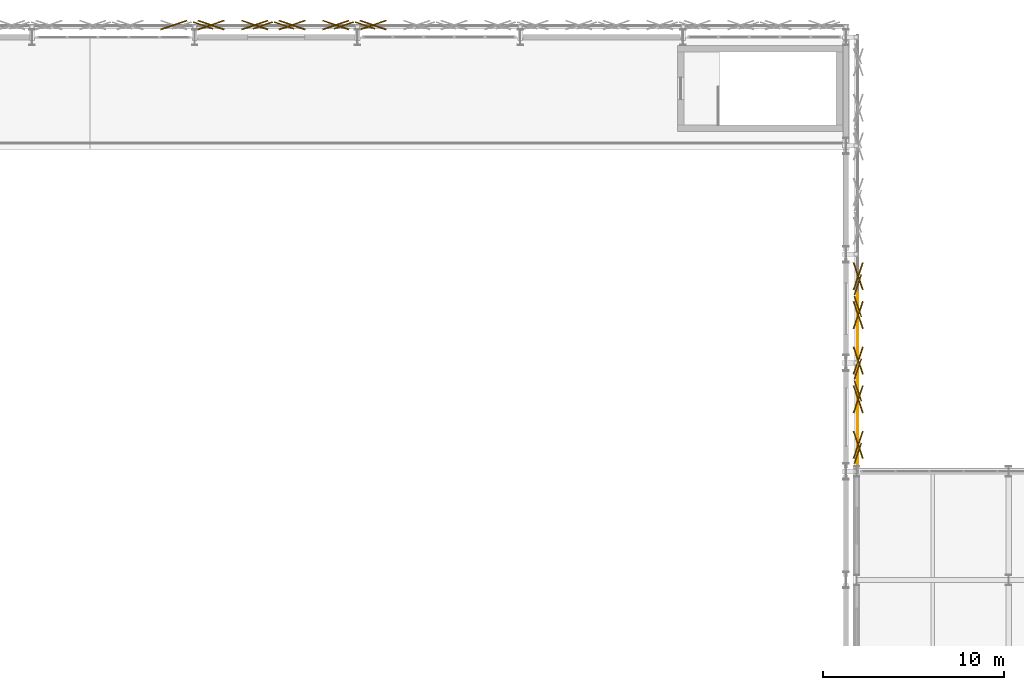
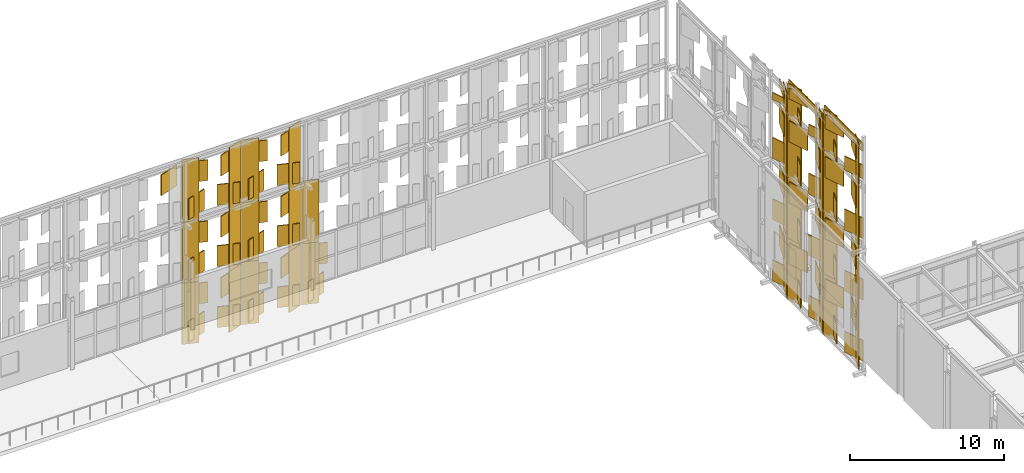
# One storey, part 201 of 210: 103 coverings.
"""IFC4 building model written with IfcOpenShell, lengths in metres."""

from ifc_helpers import new_model, si_unit, direction, frame, origin, origin_2d, place, context, subcontext, project, spatial, rectangle, extrude, material, layer, layer_set, type_object, element, save


model = new_model("IFC4")

# Units and contexts
model_context = context("Model", 3, precision=1e-05, world=origin(), true_north=direction((0.0, 1.0)))
body_context = subcontext(model_context, "Body", "Model", "MODEL_VIEW")
ifc_project = project(units=[si_unit("LENGTHUNIT", "METRE"), si_unit("AREAUNIT", "SQUARE_METRE"), si_unit("VOLUMEUNIT", "CUBIC_METRE"), si_unit("PLANEANGLEUNIT", "RADIAN"), si_unit("MASSUNIT", "GRAM", prefix="KILO")], contexts=[model_context])

# Site, building, storey
site_placement = place(None, origin())
site = spatial("IfcSite", under=ifc_project, at=site_placement, CompositionType="ELEMENT")
building_placement = place(site_placement, origin())
building = spatial("IfcBuilding", under=site, at=building_placement, Name="Kaldris Quays Convention Centre", CompositionType="ELEMENT")
storey_placement = place(building_placement, frame((0.0, 0.0, 6.0)))
storey = spatial("IfcBuildingStorey", under=building, at=storey_placement, Name="L01", CompositionType="ELEMENT", Elevation=6.0)

# Coverings
ifc_material = material(Name="Alabaster white star-pierced anodized aluminium panel", Category="aluminium")
ifc_layer = layer(ifc_material, 0.044921875)
ifc_layer_set = layer_set([ifc_layer], Name="Alabaster white star-pierced anodized aluminium panel")
covering_type = type_object("IfcCoveringType", Name="STAR PIERCED WHITE FOLDED SCREEN CL01", PredefinedType="CLADDING", material=ifc_layer_set)
covering_1_placement = place(storey_placement, frame((108.84130859375, 140.679931640625, 10.716796875), z_axis=(0.0, 0.0, 1.0), x_axis=(0.945518575599, 0.325568154457, 0.0)))
element("IfcCovering", 1, at=covering_1_placement, inside=storey, type_object=covering_type, Name="V1N Carved Star Corner Facet 930", PredefinedType="CLADDING", context=body_context, shape_type="SweptSolid", body=[
    extrude(rectangle(XDim=1.52294921875, YDim=0.06494140625, at=origin_2d()), origin(), (0.0, 0.0, 1.0), 1.64306640625),
])
for number, where, z_axis, x_axis, name in (
    (2, (110.45361328125, 140.659912109375, -1.91015625), (0.0, 0.0, 1.0), (0.945518575599, -0.325568154457, 0.0), "V1N Folded White Screen Stile 931"),
    (3, (113.767822265625, 140.659912109375, -1.91015625), (0.0, 0.0, 1.0), (0.945518575599, 0.325568154457, 0.0), "V1N Folded White Screen Stile 932"),
):
    element("IfcCovering", number, at=place(storey_placement, frame(where, z_axis=z_axis, x_axis=x_axis)), inside=storey, type_object=covering_type, Name=name, PredefinedType="CLADDING", context=body_context, shape_type="SweptSolid", body=[
        extrude(rectangle(XDim=1.136962890625, YDim=0.054931640625, at=origin_2d()), origin(), (0.0, 0.0, 1.0), 4.952880859375),
    ])
for number, where, z_axis, x_axis, name in (
    (4, (110.901611328125, 140.679931640625, -1.559814453125), (0.0, 0.0, 1.0), (0.945518575599, 0.325568154457, 0.0), "V1N Carved Star Corner Facet 933"),
    (5, (110.901611328125, 140.679931640625, 1.0498046875), (0.0, 0.0, 1.0), (0.945518575599, -0.325568154457, 0.0), "V1N Carved Star Corner Facet 934"),
    (6, (113.31982421875, 140.679931640625, -1.559814453125), (0.0, 0.0, 1.0), (0.945518575599, -0.325568154457, 0.0), "V1N Carved Star Corner Facet 935"),
    (7, (113.31982421875, 140.679931640625, 1.0498046875), (0.0, 0.0, 1.0), (0.945518575599, 0.325568154457, 0.0), "V1N Carved Star Corner Facet 936"),
):
    element("IfcCovering", number, at=place(storey_placement, frame(where, z_axis=z_axis, x_axis=x_axis)), inside=storey, type_object=covering_type, Name=name, PredefinedType="CLADDING", context=body_context, shape_type="SweptSolid", body=[
        extrude(rectangle(XDim=1.52294921875, YDim=0.06494140625, at=origin_2d()), origin(), (0.0, 0.0, 1.0), 1.64306640625),
    ])
for number, where, z_axis, x_axis, name in (
    (8, (110.45361328125, 140.659912109375, 2.9228515625), (0.0, 0.0, 1.0), (0.945518575599, -0.325568154457, 0.0), "V1N Folded White Screen Stile 937"),
    (9, (113.767822265625, 140.659912109375, 2.9228515625), (0.0, 0.0, 1.0), (0.945518575599, 0.325568154457, 0.0), "V1N Folded White Screen Stile 938"),
):
    element("IfcCovering", number, at=place(storey_placement, frame(where, z_axis=z_axis, x_axis=x_axis)), inside=storey, type_object=covering_type, Name=name, PredefinedType="CLADDING", context=body_context, shape_type="SweptSolid", body=[
        extrude(rectangle(XDim=1.136962890625, YDim=0.054931640625, at=origin_2d()), origin(), (0.0, 0.0, 1.0), 4.9541015625),
    ])
for number, where, z_axis, x_axis, name in (
    (10, (110.901611328125, 140.679931640625, 3.272705078125), (0.0, 0.0, 1.0), (0.945518575599, 0.325568154457, 0.0), "V1N Carved Star Corner Facet 939"),
    (11, (110.901611328125, 140.679931640625, 5.883056640625), (0.0, 0.0, 1.0), (0.945518575599, -0.325568154457, 0.0), "V1N Carved Star Corner Facet 940"),
    (12, (113.31982421875, 140.679931640625, 3.272705078125), (0.0, 0.0, 1.0), (0.945518575599, -0.325568154457, 0.0), "V1N Carved Star Corner Facet 941"),
    (13, (113.31982421875, 140.679931640625, 5.883056640625), (0.0, 0.0, 1.0), (0.945518575599, 0.325568154457, 0.0), "V1N Carved Star Corner Facet 942"),
):
    element("IfcCovering", number, at=place(storey_placement, frame(where, z_axis=z_axis, x_axis=x_axis)), inside=storey, type_object=covering_type, Name=name, PredefinedType="CLADDING", context=body_context, shape_type="SweptSolid", body=[
        extrude(rectangle(XDim=1.52294921875, YDim=0.06494140625, at=origin_2d()), origin(), (0.0, 0.0, 1.0), 1.64404296875),
    ])
for number, where, z_axis, x_axis, name in (
    (14, (110.45361328125, 140.659912109375, 7.7568359375), (0.0, 0.0, 1.0), (0.945518575599, -0.325568154457, 0.0), "V1N Folded White Screen Stile 943"),
    (15, (113.767822265625, 140.659912109375, 7.7568359375), (0.0, 0.0, 1.0), (0.945518575599, 0.325568154457, 0.0), "V1N Folded White Screen Stile 944"),
):
    element("IfcCovering", number, at=place(storey_placement, frame(where, z_axis=z_axis, x_axis=x_axis)), inside=storey, type_object=covering_type, Name=name, PredefinedType="CLADDING", context=body_context, shape_type="SweptSolid", body=[
        extrude(rectangle(XDim=1.136962890625, YDim=0.054931640625, at=origin_2d()), origin(), (0.0, 0.0, 1.0), 4.952880859375),
    ])
for number, where, z_axis, x_axis, name in (
    (16, (110.901611328125, 140.679931640625, 8.107177734375), (0.0, 0.0, 1.0), (0.945518575599, 0.325568154457, 0.0), "V1N Carved Star Corner Facet 945"),
    (17, (110.901611328125, 140.679931640625, 10.716796875), (0.0, 0.0, 1.0), (0.945518575599, -0.325568154457, 0.0), "V1N Carved Star Corner Facet 946"),
    (18, (113.31982421875, 140.679931640625, 8.107177734375), (0.0, 0.0, 1.0), (0.945518575599, -0.325568154457, 0.0), "V1N Carved Star Corner Facet 947"),
    (19, (113.31982421875, 140.679931640625, 10.716796875), (0.0, 0.0, 1.0), (0.945518575599, 0.325568154457, 0.0), "V1N Carved Star Corner Facet 948"),
):
    element("IfcCovering", number, at=place(storey_placement, frame(where, z_axis=z_axis, x_axis=x_axis)), inside=storey, type_object=covering_type, Name=name, PredefinedType="CLADDING", context=body_context, shape_type="SweptSolid", body=[
        extrude(rectangle(XDim=1.52294921875, YDim=0.06494140625, at=origin_2d()), origin(), (0.0, 0.0, 1.0), 1.64306640625),
    ])
for number, where, z_axis, x_axis, name in (
    (20, (114.93212890625, 140.659912109375, -1.91015625), (0.0, 0.0, 1.0), (0.945518575599, -0.325568154457, 0.0), "V1N Folded White Screen Stile 949"),
    (21, (118.246337890625, 140.659912109375, -1.91015625), (0.0, 0.0, 1.0), (0.945518575599, 0.325568154457, 0.0), "V1N Folded White Screen Stile 950"),
):
    element("IfcCovering", number, at=place(storey_placement, frame(where, z_axis=z_axis, x_axis=x_axis)), inside=storey, type_object=covering_type, Name=name, PredefinedType="CLADDING", context=body_context, shape_type="SweptSolid", body=[
        extrude(rectangle(XDim=1.136962890625, YDim=0.054931640625, at=origin_2d()), origin(), (0.0, 0.0, 1.0), 4.952880859375),
    ])
for number, where, z_axis, x_axis, name in (
    (22, (115.380126953125, 140.679931640625, -1.559814453125), (0.0, 0.0, 1.0), (0.945518575599, 0.325568154457, 0.0), "V1N Carved Star Corner Facet 951"),
    (23, (115.380126953125, 140.679931640625, 1.0498046875), (0.0, 0.0, 1.0), (0.945518575599, -0.325568154457, 0.0), "V1N Carved Star Corner Facet 952"),
    (24, (117.798583984375, 140.679931640625, -1.559814453125), (0.0, 0.0, 1.0), (0.945518575599, -0.325568154457, 0.0), "V1N Carved Star Corner Facet 953"),
    (25, (117.798583984375, 140.679931640625, 1.0498046875), (0.0, 0.0, 1.0), (0.945518575599, 0.325568154457, 0.0), "V1N Carved Star Corner Facet 954"),
):
    element("IfcCovering", number, at=place(storey_placement, frame(where, z_axis=z_axis, x_axis=x_axis)), inside=storey, type_object=covering_type, Name=name, PredefinedType="CLADDING", context=body_context, shape_type="SweptSolid", body=[
        extrude(rectangle(XDim=1.52294921875, YDim=0.06494140625, at=origin_2d()), origin(), (0.0, 0.0, 1.0), 1.64306640625),
    ])
for number, where, z_axis, x_axis, name in (
    (26, (114.93212890625, 140.659912109375, 2.9228515625), (0.0, 0.0, 1.0), (0.945518575599, -0.325568154457, 0.0), "V1N Folded White Screen Stile 955"),
    (27, (118.246337890625, 140.659912109375, 2.9228515625), (0.0, 0.0, 1.0), (0.945518575599, 0.325568154457, 0.0), "V1N Folded White Screen Stile 956"),
):
    element("IfcCovering", number, at=place(storey_placement, frame(where, z_axis=z_axis, x_axis=x_axis)), inside=storey, type_object=covering_type, Name=name, PredefinedType="CLADDING", context=body_context, shape_type="SweptSolid", body=[
        extrude(rectangle(XDim=1.136962890625, YDim=0.054931640625, at=origin_2d()), origin(), (0.0, 0.0, 1.0), 4.9541015625),
    ])
for number, where, z_axis, x_axis, name in (
    (28, (115.380126953125, 140.679931640625, 3.272705078125), (0.0, 0.0, 1.0), (0.945518575599, 0.325568154457, 0.0), "V1N Carved Star Corner Facet 957"),
    (29, (115.380126953125, 140.679931640625, 5.883056640625), (0.0, 0.0, 1.0), (0.945518575599, -0.325568154457, 0.0), "V1N Carved Star Corner Facet 958"),
    (30, (117.798583984375, 140.679931640625, 3.272705078125), (0.0, 0.0, 1.0), (0.945518575599, -0.325568154457, 0.0), "V1N Carved Star Corner Facet 959"),
    (31, (117.798583984375, 140.679931640625, 5.883056640625), (0.0, 0.0, 1.0), (0.945518575599, 0.325568154457, 0.0), "V1N Carved Star Corner Facet 960"),
):
    element("IfcCovering", number, at=place(storey_placement, frame(where, z_axis=z_axis, x_axis=x_axis)), inside=storey, type_object=covering_type, Name=name, PredefinedType="CLADDING", context=body_context, shape_type="SweptSolid", body=[
        extrude(rectangle(XDim=1.52294921875, YDim=0.06494140625, at=origin_2d()), origin(), (0.0, 0.0, 1.0), 1.64404296875),
    ])
for number, where, z_axis, x_axis, name in (
    (32, (114.93212890625, 140.659912109375, 7.7568359375), (0.0, 0.0, 1.0), (0.945518575599, -0.325568154457, 0.0), "V1N Folded White Screen Stile 961"),
    (33, (118.246337890625, 140.659912109375, 7.7568359375), (0.0, 0.0, 1.0), (0.945518575599, 0.325568154457, 0.0), "V1N Folded White Screen Stile 962"),
):
    element("IfcCovering", number, at=place(storey_placement, frame(where, z_axis=z_axis, x_axis=x_axis)), inside=storey, type_object=covering_type, Name=name, PredefinedType="CLADDING", context=body_context, shape_type="SweptSolid", body=[
        extrude(rectangle(XDim=1.136962890625, YDim=0.054931640625, at=origin_2d()), origin(), (0.0, 0.0, 1.0), 4.952880859375),
    ])
for number, where, z_axis, x_axis, name in (
    (34, (115.380126953125, 140.679931640625, 8.107177734375), (0.0, 0.0, 1.0), (0.945518575599, 0.325568154457, 0.0), "V1N Carved Star Corner Facet 963"),
    (35, (115.380126953125, 140.679931640625, 10.716796875), (0.0, 0.0, 1.0), (0.945518575599, -0.325568154457, 0.0), "V1N Carved Star Corner Facet 964"),
    (36, (117.798583984375, 140.679931640625, 8.107177734375), (0.0, 0.0, 1.0), (0.945518575599, -0.325568154457, 0.0), "V1N Carved Star Corner Facet 965"),
    (37, (117.798583984375, 140.679931640625, 10.716796875), (0.0, 0.0, 1.0), (0.945518575599, 0.325568154457, 0.0), "V1N Carved Star Corner Facet 966"),
):
    element("IfcCovering", number, at=place(storey_placement, frame(where, z_axis=z_axis, x_axis=x_axis)), inside=storey, type_object=covering_type, Name=name, PredefinedType="CLADDING", context=body_context, shape_type="SweptSolid", body=[
        extrude(rectangle(XDim=1.52294921875, YDim=0.06494140625, at=origin_2d()), origin(), (0.0, 0.0, 1.0), 1.64306640625),
    ])
covering_2_placement = place(storey_placement, frame((119.410888671875, 140.659912109375, -1.91015625), z_axis=(0.0, 0.0, 1.0), x_axis=(0.945518575599, -0.325568154457, 0.0)))
element("IfcCovering", 38, at=covering_2_placement, inside=storey, type_object=covering_type, Name="V1N Folded White Screen Stile 967", PredefinedType="CLADDING", context=body_context, shape_type="SweptSolid", body=[
    extrude(rectangle(XDim=1.136962890625, YDim=0.054931640625, at=origin_2d()), origin(), (0.0, 0.0, 1.0), 4.952880859375),
])
for number, where, z_axis, x_axis, name in (
    (39, (119.858642578125, 140.679931640625, -1.559814453125), (0.0, 0.0, 1.0), (0.945518575599, 0.325568154457, 0.0), "V1N Carved Star Corner Facet 969"),
    (40, (119.858642578125, 140.679931640625, 1.0498046875), (0.0, 0.0, 1.0), (0.945518575599, -0.325568154457, 0.0), "V1N Carved Star Corner Facet 970"),
):
    element("IfcCovering", number, at=place(storey_placement, frame(where, z_axis=z_axis, x_axis=x_axis)), inside=storey, type_object=covering_type, Name=name, PredefinedType="CLADDING", context=body_context, shape_type="SweptSolid", body=[
        extrude(rectangle(XDim=1.52294921875, YDim=0.06494140625, at=origin_2d()), origin(), (0.0, 0.0, 1.0), 1.64306640625),
    ])
covering_3_placement = place(storey_placement, frame((119.410888671875, 140.659912109375, 2.9228515625), z_axis=(0.0, 0.0, 1.0), x_axis=(0.945518575599, -0.325568154457, 0.0)))
element("IfcCovering", 41, at=covering_3_placement, inside=storey, type_object=covering_type, Name="V1N Folded White Screen Stile 973", PredefinedType="CLADDING", context=body_context, shape_type="SweptSolid", body=[
    extrude(rectangle(XDim=1.136962890625, YDim=0.054931640625, at=origin_2d()), origin(), (0.0, 0.0, 1.0), 4.9541015625),
])
covering_4_placement = place(storey_placement, frame((146.64990234375, 118.72998046875, 15.39404296875), z_axis=(0.0, 0.0, 1.0), x_axis=(0.0, 1.0, 0.0)))
element("IfcCovering", 42, at=covering_4_placement, inside=storey, type_object=covering_type, Name="V1E Gable White Screen Cap Band 1756", PredefinedType="CLADDING", context=body_context, shape_type="SweptSolid", body=[
    extrude(rectangle(XDim=4.9599609375, YDim=0.054931640625, at=origin_2d()), origin(), (0.0, 0.0, 1.0), 0.679931640625),
])
for number, where, z_axis, x_axis, name in (
    (43, (146.659912109375, 117.005859375, -1.91015625), (0.0, 0.0, 1.0), (0.325568154457, 0.945518575599, 0.0), "V1E Folded White Screen Stile 1757"),
    (44, (146.659912109375, 120.4541015625, -1.91015625), (0.0, 0.0, 1.0), (-0.325568154457, 0.945518575599, 0.0), "V1E Folded White Screen Stile 1758"),
):
    element("IfcCovering", number, at=place(storey_placement, frame(where, z_axis=z_axis, x_axis=x_axis)), inside=storey, type_object=covering_type, Name=name, PredefinedType="CLADDING", context=body_context, shape_type="SweptSolid", body=[
        extrude(rectangle(XDim=1.18310546875, YDim=0.054931640625, at=origin_2d()), origin(), (0.0, 0.0, 1.0), 4.952880859375),
    ])
for number, where, z_axis, x_axis, name in (
    (45, (146.679931640625, 117.4716796875, -1.559814453125), (0.0, 0.0, 1.0), (-0.325568154457, 0.945518575599, 0.0), "V1E Carved Star Corner Facet 1759"),
    (46, (146.679931640625, 117.4716796875, 1.0498046875), (0.0, 0.0, 1.0), (0.325568154457, 0.945518575599, 0.0), "V1E Carved Star Corner Facet 1760"),
    (47, (146.679931640625, 119.98828125, -1.559814453125), (0.0, 0.0, 1.0), (0.325568154457, 0.945518575599, 0.0), "V1E Carved Star Corner Facet 1761"),
    (48, (146.679931640625, 119.98828125, 1.0498046875), (0.0, 0.0, 1.0), (-0.325568154457, 0.945518575599, 0.0), "V1E Carved Star Corner Facet 1762"),
):
    element("IfcCovering", number, at=place(storey_placement, frame(where, z_axis=z_axis, x_axis=x_axis)), inside=storey, type_object=covering_type, Name=name, PredefinedType="CLADDING", context=body_context, shape_type="SweptSolid", body=[
        extrude(rectangle(XDim=1.583984375, YDim=0.06494140625, at=origin_2d()), origin(), (0.0, 0.0, 1.0), 1.64306640625),
    ])
for number, where, z_axis, x_axis, name in (
    (49, (146.659912109375, 117.005859375, 2.9228515625), (0.0, 0.0, 1.0), (0.325568154457, 0.945518575599, 0.0), "V1E Folded White Screen Stile 1763"),
    (50, (146.659912109375, 120.4541015625, 2.9228515625), (0.0, 0.0, 1.0), (-0.325568154457, 0.945518575599, 0.0), "V1E Folded White Screen Stile 1764"),
):
    element("IfcCovering", number, at=place(storey_placement, frame(where, z_axis=z_axis, x_axis=x_axis)), inside=storey, type_object=covering_type, Name=name, PredefinedType="CLADDING", context=body_context, shape_type="SweptSolid", body=[
        extrude(rectangle(XDim=1.18310546875, YDim=0.054931640625, at=origin_2d()), origin(), (0.0, 0.0, 1.0), 4.9541015625),
    ])
for number, where, z_axis, x_axis, name in (
    (51, (146.679931640625, 117.4716796875, 3.272705078125), (0.0, 0.0, 1.0), (-0.325568154457, 0.945518575599, 0.0), "V1E Carved Star Corner Facet 1765"),
    (52, (146.679931640625, 117.4716796875, 5.883056640625), (0.0, 0.0, 1.0), (0.325568154457, 0.945518575599, 0.0), "V1E Carved Star Corner Facet 1766"),
    (53, (146.679931640625, 119.98828125, 3.272705078125), (0.0, 0.0, 1.0), (0.325568154457, 0.945518575599, 0.0), "V1E Carved Star Corner Facet 1767"),
    (54, (146.679931640625, 119.98828125, 5.883056640625), (0.0, 0.0, 1.0), (-0.325568154457, 0.945518575599, 0.0), "V1E Carved Star Corner Facet 1768"),
):
    element("IfcCovering", number, at=place(storey_placement, frame(where, z_axis=z_axis, x_axis=x_axis)), inside=storey, type_object=covering_type, Name=name, PredefinedType="CLADDING", context=body_context, shape_type="SweptSolid", body=[
        extrude(rectangle(XDim=1.583984375, YDim=0.06494140625, at=origin_2d()), origin(), (0.0, 0.0, 1.0), 1.64404296875),
    ])
for number, where, z_axis, x_axis, name in (
    (55, (146.659912109375, 117.005859375, 7.7568359375), (0.0, 0.0, 1.0), (0.325568154457, 0.945518575599, 0.0), "V1E Folded White Screen Stile 1769"),
    (56, (146.659912109375, 120.4541015625, 7.7568359375), (0.0, 0.0, 1.0), (-0.325568154457, 0.945518575599, 0.0), "V1E Folded White Screen Stile 1770"),
):
    element("IfcCovering", number, at=place(storey_placement, frame(where, z_axis=z_axis, x_axis=x_axis)), inside=storey, type_object=covering_type, Name=name, PredefinedType="CLADDING", context=body_context, shape_type="SweptSolid", body=[
        extrude(rectangle(XDim=1.18310546875, YDim=0.054931640625, at=origin_2d()), origin(), (0.0, 0.0, 1.0), 4.952880859375),
    ])
for number, where, z_axis, x_axis, name in (
    (57, (146.679931640625, 117.4716796875, 8.107177734375), (0.0, 0.0, 1.0), (-0.325568154457, 0.945518575599, 0.0), "V1E Carved Star Corner Facet 1771"),
    (58, (146.679931640625, 117.4716796875, 10.716796875), (0.0, 0.0, 1.0), (0.325568154457, 0.945518575599, 0.0), "V1E Carved Star Corner Facet 1772"),
    (59, (146.679931640625, 119.98828125, 8.107177734375), (0.0, 0.0, 1.0), (0.325568154457, 0.945518575599, 0.0), "V1E Carved Star Corner Facet 1773"),
    (60, (146.679931640625, 119.98828125, 10.716796875), (0.0, 0.0, 1.0), (-0.325568154457, 0.945518575599, 0.0), "V1E Carved Star Corner Facet 1774"),
):
    element("IfcCovering", number, at=place(storey_placement, frame(where, z_axis=z_axis, x_axis=x_axis)), inside=storey, type_object=covering_type, Name=name, PredefinedType="CLADDING", context=body_context, shape_type="SweptSolid", body=[
        extrude(rectangle(XDim=1.583984375, YDim=0.06494140625, at=origin_2d()), origin(), (0.0, 0.0, 1.0), 1.64306640625),
    ])
for number, where, z_axis, x_axis, name in (
    (61, (146.659912109375, 117.005859375, 12.590087890625), (0.0, 0.0, 1.0), (0.325568154457, 0.945518575599, 0.0), "V1E Folded White Screen Stile 1775"),
    (62, (146.659912109375, 120.4541015625, 12.590087890625), (0.0, 0.0, 1.0), (-0.325568154457, 0.945518575599, 0.0), "V1E Folded White Screen Stile 1776"),
):
    element("IfcCovering", number, at=place(storey_placement, frame(where, z_axis=z_axis, x_axis=x_axis)), inside=storey, type_object=covering_type, Name=name, PredefinedType="CLADDING", context=body_context, shape_type="SweptSolid", body=[
        extrude(rectangle(XDim=1.18310546875, YDim=0.054931640625, at=origin_2d()), origin(), (0.0, 0.0, 1.0), 3.35400390625),
    ])
for number, where, z_axis, x_axis, name in (
    (63, (146.679931640625, 117.4716796875, 12.84375), (0.0, 0.0, 1.0), (-0.325568154457, 0.945518575599, 0.0), "V1E Carved Star Corner Facet 1777"),
    (64, (146.679931640625, 117.4716796875, 14.590087890625), (0.0, 0.0, 1.0), (0.325568154457, 0.945518575599, 0.0), "V1E Carved Star Corner Facet 1778"),
    (65, (146.679931640625, 119.98828125, 12.84375), (0.0, 0.0, 1.0), (0.325568154457, 0.945518575599, 0.0), "V1E Carved Star Corner Facet 1779"),
    (66, (146.679931640625, 119.98828125, 14.590087890625), (0.0, 0.0, 1.0), (-0.325568154457, 0.945518575599, 0.0), "V1E Carved Star Corner Facet 1780"),
):
    element("IfcCovering", number, at=place(storey_placement, frame(where, z_axis=z_axis, x_axis=x_axis)), inside=storey, type_object=covering_type, Name=name, PredefinedType="CLADDING", context=body_context, shape_type="SweptSolid", body=[
        extrude(rectangle(XDim=1.583984375, YDim=0.06494140625, at=origin_2d()), origin(), (0.0, 0.0, 1.0), 1.10009765625),
    ])
covering_5_placement = place(storey_placement, frame((146.64990234375, 123.389892578125, 14.6181640625), z_axis=(0.0, 0.0, 1.0), x_axis=(0.0, 1.0, 0.0)))
element("IfcCovering", 67, at=covering_5_placement, inside=storey, type_object=covering_type, Name="V1E Gable White Screen Cap Band 1781", PredefinedType="CLADDING", context=body_context, shape_type="SweptSolid", body=[
    extrude(rectangle(XDim=4.9599609375, YDim=0.054931640625, at=origin_2d()), origin(), (0.0, 0.0, 1.0), 0.679931640625),
])
for number, where, z_axis, x_axis, name in (
    (68, (146.659912109375, 121.665771484375, -1.91015625), (0.0, 0.0, 1.0), (0.325568154457, 0.945518575599, 0.0), "V1E Folded White Screen Stile 1782"),
    (69, (146.659912109375, 125.1142578125, -1.91015625), (0.0, 0.0, 1.0), (-0.325568154457, 0.945518575599, 0.0), "V1E Folded White Screen Stile 1783"),
):
    element("IfcCovering", number, at=place(storey_placement, frame(where, z_axis=z_axis, x_axis=x_axis)), inside=storey, type_object=covering_type, Name=name, PredefinedType="CLADDING", context=body_context, shape_type="SweptSolid", body=[
        extrude(rectangle(XDim=1.18310546875, YDim=0.054931640625, at=origin_2d()), origin(), (0.0, 0.0, 1.0), 4.952880859375),
    ])
for number, where, z_axis, x_axis, name in (
    (70, (146.679931640625, 122.1318359375, -1.559814453125), (0.0, 0.0, 1.0), (-0.325568154457, 0.945518575599, 0.0), "V1E Carved Star Corner Facet 1784"),
    (71, (146.679931640625, 122.1318359375, 1.0498046875), (0.0, 0.0, 1.0), (0.325568154457, 0.945518575599, 0.0), "V1E Carved Star Corner Facet 1785"),
    (72, (146.679931640625, 124.648193359375, -1.559814453125), (0.0, 0.0, 1.0), (0.325568154457, 0.945518575599, 0.0), "V1E Carved Star Corner Facet 1786"),
    (73, (146.679931640625, 124.648193359375, 1.0498046875), (0.0, 0.0, 1.0), (-0.325568154457, 0.945518575599, 0.0), "V1E Carved Star Corner Facet 1787"),
):
    element("IfcCovering", number, at=place(storey_placement, frame(where, z_axis=z_axis, x_axis=x_axis)), inside=storey, type_object=covering_type, Name=name, PredefinedType="CLADDING", context=body_context, shape_type="SweptSolid", body=[
        extrude(rectangle(XDim=1.583984375, YDim=0.06494140625, at=origin_2d()), origin(), (0.0, 0.0, 1.0), 1.64306640625),
    ])
for number, where, z_axis, x_axis, name in (
    (74, (146.659912109375, 121.665771484375, 2.9228515625), (0.0, 0.0, 1.0), (0.325568154457, 0.945518575599, 0.0), "V1E Folded White Screen Stile 1788"),
    (75, (146.659912109375, 125.1142578125, 2.9228515625), (0.0, 0.0, 1.0), (-0.325568154457, 0.945518575599, 0.0), "V1E Folded White Screen Stile 1789"),
):
    element("IfcCovering", number, at=place(storey_placement, frame(where, z_axis=z_axis, x_axis=x_axis)), inside=storey, type_object=covering_type, Name=name, PredefinedType="CLADDING", context=body_context, shape_type="SweptSolid", body=[
        extrude(rectangle(XDim=1.18310546875, YDim=0.054931640625, at=origin_2d()), origin(), (0.0, 0.0, 1.0), 4.9541015625),
    ])
for number, where, z_axis, x_axis, name in (
    (76, (146.679931640625, 122.1318359375, 3.272705078125), (0.0, 0.0, 1.0), (-0.325568154457, 0.945518575599, 0.0), "V1E Carved Star Corner Facet 1790"),
    (77, (146.679931640625, 122.1318359375, 5.883056640625), (0.0, 0.0, 1.0), (0.325568154457, 0.945518575599, 0.0), "V1E Carved Star Corner Facet 1791"),
    (78, (146.679931640625, 124.648193359375, 3.272705078125), (0.0, 0.0, 1.0), (0.325568154457, 0.945518575599, 0.0), "V1E Carved Star Corner Facet 1792"),
    (79, (146.679931640625, 124.648193359375, 5.883056640625), (0.0, 0.0, 1.0), (-0.325568154457, 0.945518575599, 0.0), "V1E Carved Star Corner Facet 1793"),
):
    element("IfcCovering", number, at=place(storey_placement, frame(where, z_axis=z_axis, x_axis=x_axis)), inside=storey, type_object=covering_type, Name=name, PredefinedType="CLADDING", context=body_context, shape_type="SweptSolid", body=[
        extrude(rectangle(XDim=1.583984375, YDim=0.06494140625, at=origin_2d()), origin(), (0.0, 0.0, 1.0), 1.64404296875),
    ])
for number, where, z_axis, x_axis, name in (
    (80, (146.659912109375, 121.665771484375, 7.7568359375), (0.0, 0.0, 1.0), (0.325568154457, 0.945518575599, 0.0), "V1E Folded White Screen Stile 1794"),
    (81, (146.659912109375, 125.1142578125, 7.7568359375), (0.0, 0.0, 1.0), (-0.325568154457, 0.945518575599, 0.0), "V1E Folded White Screen Stile 1795"),
):
    element("IfcCovering", number, at=place(storey_placement, frame(where, z_axis=z_axis, x_axis=x_axis)), inside=storey, type_object=covering_type, Name=name, PredefinedType="CLADDING", context=body_context, shape_type="SweptSolid", body=[
        extrude(rectangle(XDim=1.18310546875, YDim=0.054931640625, at=origin_2d()), origin(), (0.0, 0.0, 1.0), 4.952880859375),
    ])
for number, where, z_axis, x_axis, name in (
    (82, (146.679931640625, 122.1318359375, 8.107177734375), (0.0, 0.0, 1.0), (-0.325568154457, 0.945518575599, 0.0), "V1E Carved Star Corner Facet 1796"),
    (83, (146.679931640625, 122.1318359375, 10.716796875), (0.0, 0.0, 1.0), (0.325568154457, 0.945518575599, 0.0), "V1E Carved Star Corner Facet 1797"),
    (84, (146.679931640625, 124.648193359375, 8.107177734375), (0.0, 0.0, 1.0), (0.325568154457, 0.945518575599, 0.0), "V1E Carved Star Corner Facet 1798"),
    (85, (146.679931640625, 124.648193359375, 10.716796875), (0.0, 0.0, 1.0), (-0.325568154457, 0.945518575599, 0.0), "V1E Carved Star Corner Facet 1799"),
):
    element("IfcCovering", number, at=place(storey_placement, frame(where, z_axis=z_axis, x_axis=x_axis)), inside=storey, type_object=covering_type, Name=name, PredefinedType="CLADDING", context=body_context, shape_type="SweptSolid", body=[
        extrude(rectangle(XDim=1.583984375, YDim=0.06494140625, at=origin_2d()), origin(), (0.0, 0.0, 1.0), 1.64306640625),
    ])
for number, where, z_axis, x_axis, name in (
    (86, (146.659912109375, 121.665771484375, 12.58984375), (0.0, 0.0, 1.0), (0.325568154457, 0.945518575599, 0.0), "V1E Folded White Screen Stile 1800"),
    (87, (146.659912109375, 125.1142578125, 12.58984375), (0.0, 0.0, 1.0), (-0.325568154457, 0.945518575599, 0.0), "V1E Folded White Screen Stile 1801"),
):
    element("IfcCovering", number, at=place(storey_placement, frame(where, z_axis=z_axis, x_axis=x_axis)), inside=storey, type_object=covering_type, Name=name, PredefinedType="CLADDING", context=body_context, shape_type="SweptSolid", body=[
        extrude(rectangle(XDim=1.18310546875, YDim=0.054931640625, at=origin_2d()), origin(), (0.0, 0.0, 1.0), 2.577880859375),
    ])
for number, where, z_axis, x_axis, name in (
    (88, (146.679931640625, 122.1318359375, 12.79736328125), (0.0, 0.0, 1.0), (-0.325568154457, 0.945518575599, 0.0), "V1E Carved Star Corner Facet 1802"),
    (89, (146.679931640625, 122.1318359375, 14.124755859375), (0.0, 0.0, 1.0), (0.325568154457, 0.945518575599, 0.0), "V1E Carved Star Corner Facet 1803"),
    (90, (146.679931640625, 124.648193359375, 12.79736328125), (0.0, 0.0, 1.0), (0.325568154457, 0.945518575599, 0.0), "V1E Carved Star Corner Facet 1804"),
    (91, (146.679931640625, 124.648193359375, 14.124755859375), (0.0, 0.0, 1.0), (-0.325568154457, 0.945518575599, 0.0), "V1E Carved Star Corner Facet 1805"),
):
    element("IfcCovering", number, at=place(storey_placement, frame(where, z_axis=z_axis, x_axis=x_axis)), inside=storey, type_object=covering_type, Name=name, PredefinedType="CLADDING", context=body_context, shape_type="SweptSolid", body=[
        extrude(rectangle(XDim=1.583984375, YDim=0.06494140625, at=origin_2d()), origin(), (0.0, 0.0, 1.0), 0.8359375),
    ])
covering_6_placement = place(storey_placement, frame((146.659912109375, 126.32568359375, -1.91015625), z_axis=(0.0, 0.0, 1.0), x_axis=(0.325568154457, 0.945518575599, 0.0)))
element("IfcCovering", 92, at=covering_6_placement, inside=storey, type_object=covering_type, Name="V1E Folded White Screen Stile 1807", PredefinedType="CLADDING", context=body_context, shape_type="SweptSolid", body=[
    extrude(rectangle(XDim=1.18310546875, YDim=0.054931640625, at=origin_2d()), origin(), (0.0, 0.0, 1.0), 4.952880859375),
])
for number, where, z_axis, x_axis, name in (
    (93, (146.679931640625, 126.791748046875, -1.559814453125), (0.0, 0.0, 1.0), (-0.325568154457, 0.945518575599, 0.0), "V1E Carved Star Corner Facet 1809"),
    (94, (146.679931640625, 126.791748046875, 1.0498046875), (0.0, 0.0, 1.0), (0.325568154457, 0.945518575599, 0.0), "V1E Carved Star Corner Facet 1810"),
):
    element("IfcCovering", number, at=place(storey_placement, frame(where, z_axis=z_axis, x_axis=x_axis)), inside=storey, type_object=covering_type, Name=name, PredefinedType="CLADDING", context=body_context, shape_type="SweptSolid", body=[
        extrude(rectangle(XDim=1.583984375, YDim=0.06494140625, at=origin_2d()), origin(), (0.0, 0.0, 1.0), 1.64306640625),
    ])
covering_7_placement = place(storey_placement, frame((146.659912109375, 126.32568359375, 2.9228515625), z_axis=(0.0, 0.0, 1.0), x_axis=(0.325568154457, 0.945518575599, 0.0)))
element("IfcCovering", 95, at=covering_7_placement, inside=storey, type_object=covering_type, Name="V1E Folded White Screen Stile 1813", PredefinedType="CLADDING", context=body_context, shape_type="SweptSolid", body=[
    extrude(rectangle(XDim=1.18310546875, YDim=0.054931640625, at=origin_2d()), origin(), (0.0, 0.0, 1.0), 4.9541015625),
])
for number, where, z_axis, x_axis, name in (
    (96, (146.679931640625, 126.791748046875, 3.272705078125), (0.0, 0.0, 1.0), (-0.325568154457, 0.945518575599, 0.0), "V1E Carved Star Corner Facet 1815"),
    (97, (146.679931640625, 126.791748046875, 5.883056640625), (0.0, 0.0, 1.0), (0.325568154457, 0.945518575599, 0.0), "V1E Carved Star Corner Facet 1816"),
):
    element("IfcCovering", number, at=place(storey_placement, frame(where, z_axis=z_axis, x_axis=x_axis)), inside=storey, type_object=covering_type, Name=name, PredefinedType="CLADDING", context=body_context, shape_type="SweptSolid", body=[
        extrude(rectangle(XDim=1.583984375, YDim=0.06494140625, at=origin_2d()), origin(), (0.0, 0.0, 1.0), 1.64404296875),
    ])
covering_8_placement = place(storey_placement, frame((146.659912109375, 126.32568359375, 7.7568359375), z_axis=(0.0, 0.0, 1.0), x_axis=(0.325568154457, 0.945518575599, 0.0)))
element("IfcCovering", 98, at=covering_8_placement, inside=storey, type_object=covering_type, Name="V1E Folded White Screen Stile 1819", PredefinedType="CLADDING", context=body_context, shape_type="SweptSolid", body=[
    extrude(rectangle(XDim=1.18310546875, YDim=0.054931640625, at=origin_2d()), origin(), (0.0, 0.0, 1.0), 4.952880859375),
])
for number, where, z_axis, x_axis, name in (
    (99, (146.679931640625, 126.791748046875, 8.107177734375), (0.0, 0.0, 1.0), (-0.325568154457, 0.945518575599, 0.0), "V1E Carved Star Corner Facet 1821"),
    (100, (146.679931640625, 126.791748046875, 10.716796875), (0.0, 0.0, 1.0), (0.325568154457, 0.945518575599, 0.0), "V1E Carved Star Corner Facet 1822"),
):
    element("IfcCovering", number, at=place(storey_placement, frame(where, z_axis=z_axis, x_axis=x_axis)), inside=storey, type_object=covering_type, Name=name, PredefinedType="CLADDING", context=body_context, shape_type="SweptSolid", body=[
        extrude(rectangle(XDim=1.583984375, YDim=0.06494140625, at=origin_2d()), origin(), (0.0, 0.0, 1.0), 1.64306640625),
    ])
covering_9_placement = place(storey_placement, frame((146.659912109375, 126.32568359375, 12.58984375), z_axis=(0.0, 0.0, 1.0), x_axis=(0.325568154457, 0.945518575599, 0.0)))
element("IfcCovering", 101, at=covering_9_placement, inside=storey, type_object=covering_type, Name="V1E Folded White Screen Stile 1825", PredefinedType="CLADDING", context=body_context, shape_type="SweptSolid", body=[
    extrude(rectangle(XDim=1.18310546875, YDim=0.054931640625, at=origin_2d()), origin(), (0.0, 0.0, 1.0), 1.801025390625),
])
for number, where, z_axis, x_axis, name in (
    (102, (146.679931640625, 126.791748046875, 12.75048828125), (0.0, 0.0, 1.0), (-0.325568154457, 0.945518575599, 0.0), "V1E Carved Star Corner Facet 1827"),
    (103, (146.679931640625, 126.791748046875, 13.658203125), (0.0, 0.0, 1.0), (0.325568154457, 0.945518575599, 0.0), "V1E Carved Star Corner Facet 1828"),
):
    element("IfcCovering", number, at=place(storey_placement, frame(where, z_axis=z_axis, x_axis=x_axis)), inside=storey, type_object=covering_type, Name=name, PredefinedType="CLADDING", context=body_context, shape_type="SweptSolid", body=[
        extrude(rectangle(XDim=1.583984375, YDim=0.06494140625, at=origin_2d()), origin(), (0.0, 0.0, 1.0), 0.572021484375),
    ])

save(model, "model.ifc")
